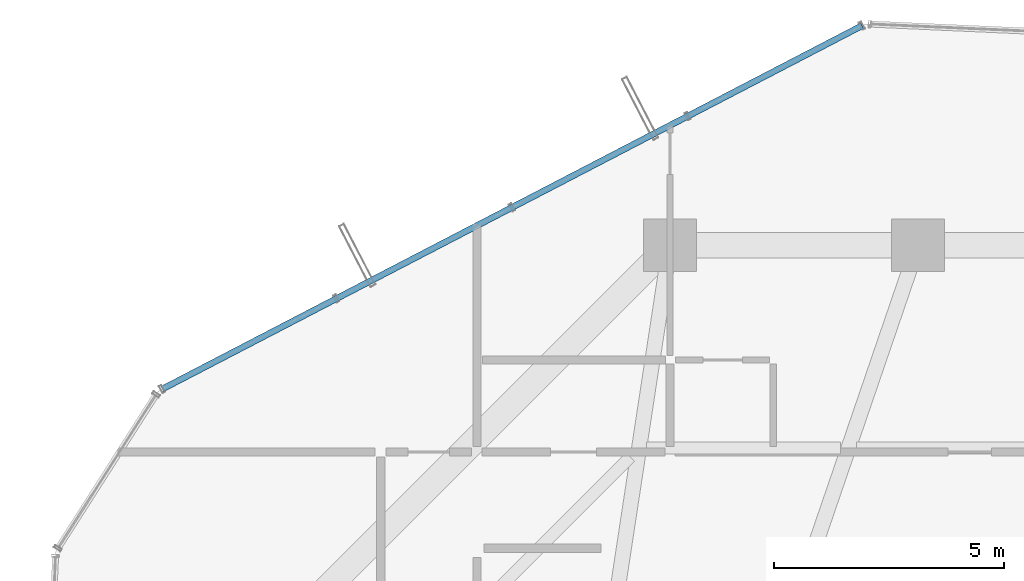
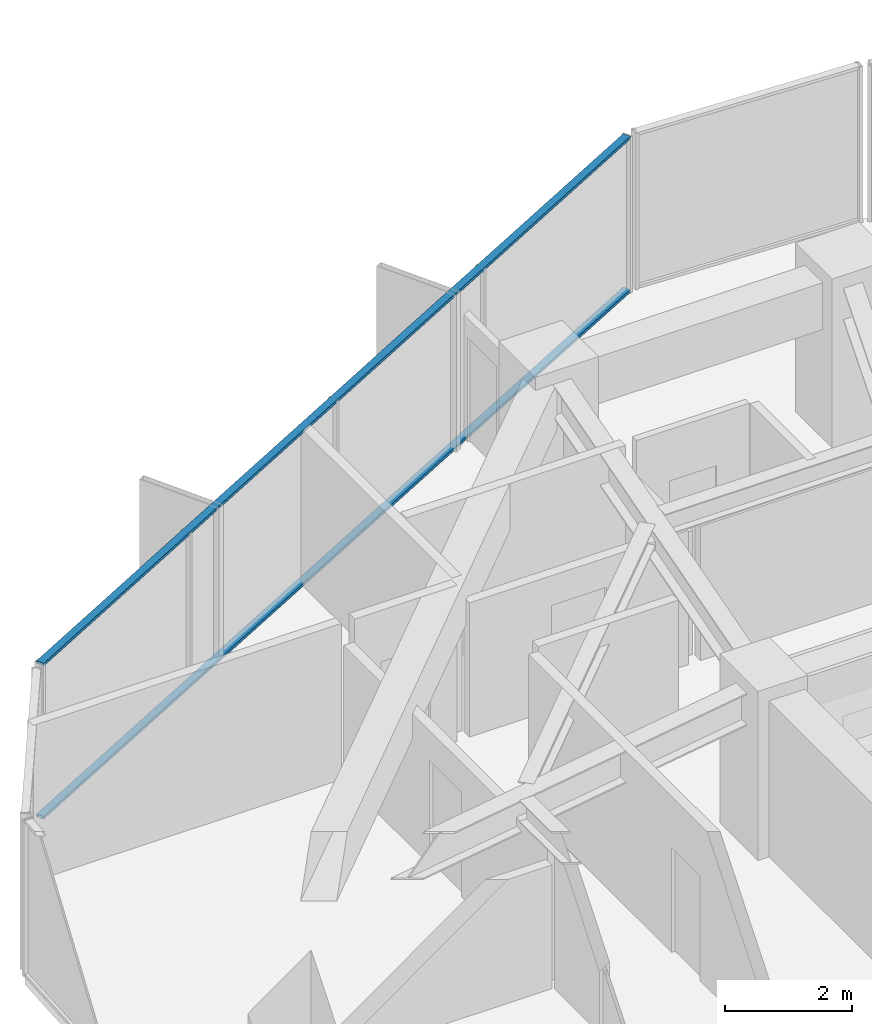
# One storey, part 18 of 30: 2 members, 1 element without a shape of its own.
"""IFC4 building model written with IfcOpenShell, lengths in metres."""

from ifc_helpers import new_model, si_unit, direction, frame, origin, origin_2d, place, context, subcontext, project, spatial, hollow_rectangle, extrude, source, transform, mapped, material, layer, layer_set, material_profile, profile_set, type_object, element, aggregate, save


model = new_model("IFC4")

# Units and contexts
model_context = context("Model", 3, precision=1e-05, world=origin(), true_north=direction((0.0, 1.0)))
body_context = subcontext(model_context, "Body", "Model", "MODEL_VIEW")
ifc_project = project(units=[si_unit("LENGTHUNIT", "METRE"), si_unit("AREAUNIT", "SQUARE_METRE"), si_unit("VOLUMEUNIT", "CUBIC_METRE"), si_unit("PLANEANGLEUNIT", "RADIAN"), si_unit("MASSUNIT", "GRAM", prefix="KILO")], contexts=[model_context])

# Site, building, storey
site_placement = place(None, origin())
site = spatial("IfcSite", under=ifc_project, at=site_placement, CompositionType="ELEMENT")
building_placement = place(site_placement, origin())
building = spatial("IfcBuilding", under=site, at=building_placement, Name="Veraguas Prism Commons", CompositionType="ELEMENT")
storey_placement = place(building_placement, frame((0.0, 0.0, 119.75)))
storey = spatial("IfcBuildingStorey", under=building, at=storey_placement, Name="L33", CompositionType="ELEMENT", Elevation=119.75)

# Curtain wall, members
ifc_material = material(Name="Anodised aluminium EN AW-6063 T6", Category="aluminium")
ifc_layer = layer(ifc_material, 0.169921875, Name="Unitised Flush Curtain Wall Zone 2", Category="aluminium")
ifc_layer_set = layer_set([ifc_layer], Name="Anodised aluminium EN AW-6063 T6")
curtain_wall_type = type_object("IfcCurtainWallType", Name="Unitised Flush Curtain Wall Zone 2", PredefinedType="NOTDEFINED", material=ifc_layer_set)
curtain_wall_placement = place(storey_placement, origin())
curtain_wall = element("IfcCurtainWall", 1, at=curtain_wall_placement, inside=storey, type_object=curtain_wall_type, Name="Tower Facade Curtain Wall L33-F2", PredefinedType="NOTDEFINED")
ifc_material_profile = material_profile(ifc_material, hollow_rectangle(XDim=0.054931640625, YDim=0.135009765625, WallThickness=0.0029296875, at=origin_2d()), Name="AL55X135X3")
ifc_profile_set = profile_set([ifc_material_profile], Name="Anodised aluminium EN AW-6063 T6")
member_type = type_object("IfcMemberType", Name="Curtain Wall Transom Standard AL 55x135x3", PredefinedType="USERDEFINED", material=ifc_profile_set)
shared_shape = source(origin(), body_context, "Body", "SweptSolid", [
    extrude(hollow_rectangle(XDim=0.054931640625, YDim=0.135009765625, WallThickness=0.0029296875, at=origin_2d()), origin(), (0.0, 0.0, 1.0), 17.17431640625),
])
member_1_placement = place(storey_placement, frame((22.781494140625, 44.9814453125, 0.027587890625), z_axis=(-0.887493840759, -0.460819577074, 0.0), x_axis=(0.0, 0.0, 1.0)))
member_1 = element("IfcMember", 2, at=member_1_placement, type_object=member_type, Name="CW-Z2 Transom 1", ObjectType="TRANSOM", PredefinedType="USERDEFINED", context=body_context, shape_type="MappedRepresentation", body=[
    mapped(shared_shape, transform((0.0, 0.0, 0.0), scale=1.0)),
])
member_2_placement = place(storey_placement, frame((22.781494140625, 44.9814453125, 2.972412109375), z_axis=(-0.887493840759, -0.460819577074, 0.0), x_axis=(0.0, 0.0, 1.0)))
member_2 = element("IfcMember", 3, at=member_2_placement, type_object=member_type, Name="CW-Z2 Transom 2", ObjectType="TRANSOM", PredefinedType="USERDEFINED", context=body_context, shape_type="MappedRepresentation", body=[
    mapped(shared_shape, transform((0.0, 0.0, 0.0), scale=1.0)),
])
aggregate(curtain_wall, [member_1, member_2])

save(model, "model.ifc")
